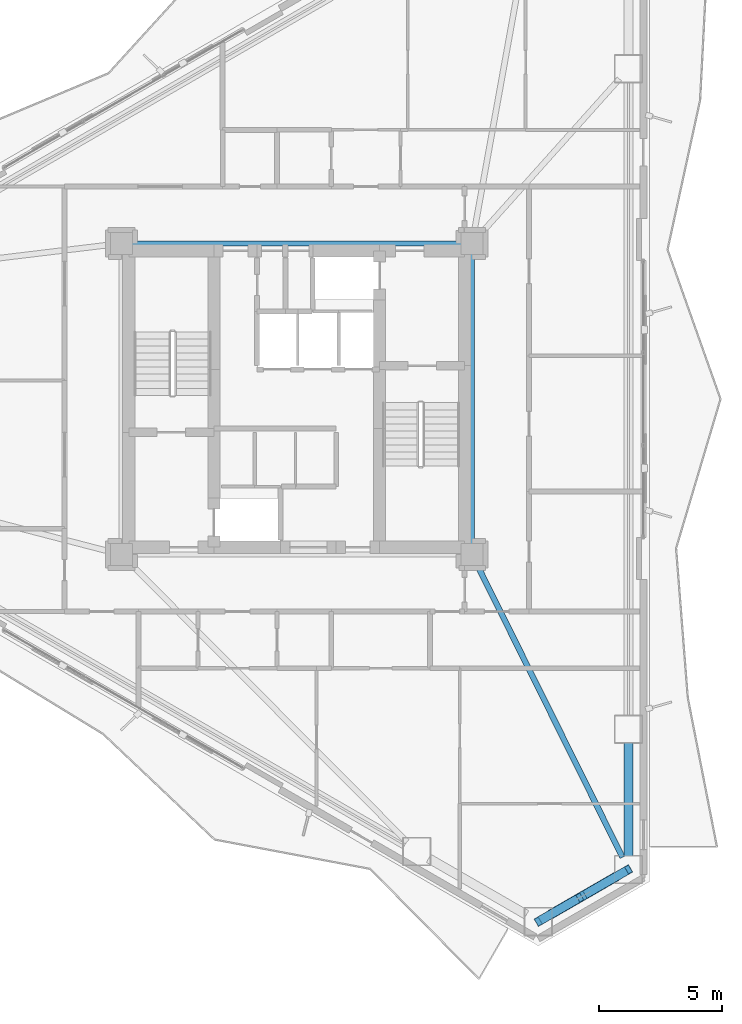
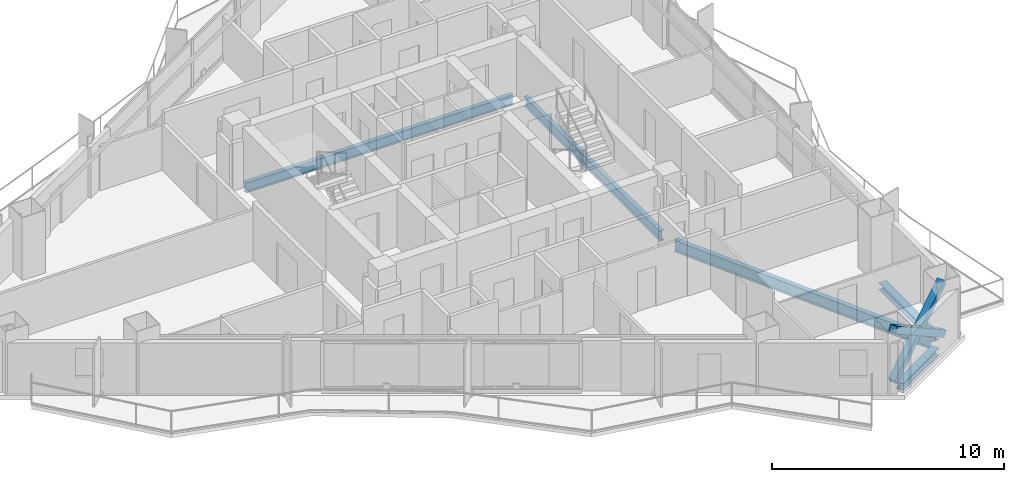
# One storey, part 7 of 22: 5 beams, 3 members.
"""IFC4 building model written with IfcOpenShell, lengths in metres."""

from ifc_helpers import new_model, si_unit, direction, frame, origin, origin_2d, place, context, subcontext, project, spatial, hollow_rectangle, i_section, extrude, material, material_profile, profile_set, type_object, element, save


model = new_model("IFC4")

# Units and contexts
model_context = context("Model", 3, precision=1e-05, world=origin(), true_north=direction((0.0, 1.0)))
body_context = subcontext(model_context, "Body", "Model", "MODEL_VIEW")
ifc_project = project(units=[si_unit("LENGTHUNIT", "METRE"), si_unit("AREAUNIT", "SQUARE_METRE"), si_unit("VOLUMEUNIT", "CUBIC_METRE"), si_unit("PLANEANGLEUNIT", "RADIAN"), si_unit("MASSUNIT", "GRAM", prefix="KILO")], contexts=[model_context])

# Site, building, storey
site_placement = place(None, origin())
site = spatial("IfcSite", under=ifc_project, at=site_placement, CompositionType="ELEMENT")
building_placement = place(site_placement, origin())
building = spatial("IfcBuilding", under=site, at=building_placement, Name="Mersakhor Tower and Convention Hall", CompositionType="ELEMENT")
storey_placement = place(building_placement, frame((0.0, 0.0, 83.39990234375)))
storey = spatial("IfcBuildingStorey", under=building, at=storey_placement, Name="L22", CompositionType="ELEMENT", Elevation=83.39990234375)

# Beams
ifc_material_1 = material(Name="Steel S355", Category="steel")
ifc_material_profile_1 = material_profile(ifc_material_1, i_section(OverallWidth=0.2099609375, OverallDepth=0.53662109375, WebThickness=0.0107421875, FlangeThickness=0.017333984375, at=origin_2d()), Name="UB 533x210x101")
ifc_profile_set_1 = profile_set([ifc_material_profile_1], Name="Steel S355")
beam_type_1 = type_object("IfcBeamType", Name="BM-FB-533", PredefinedType="BEAM", material=ifc_profile_set_1)
beam_1_placement = place(storey_placement, frame((22.330078125, 33.050048828125, -0.518310546875), z_axis=(1.0, 0.0, 0.0), x_axis=(0.0, 1.0, 0.0)))
element("IfcBeam", 1, at=beam_1_placement, inside=storey, type_object=beam_type_1, Name="L22 Core Ring Tie Beam CRB-2", PredefinedType="BEAM", context=body_context, shape_type="SweptSolid", body=[
    extrude(i_section(OverallWidth=0.2099609375, OverallDepth=0.53662109375, WebThickness=0.0107421875, FlangeThickness=0.017333984375, at=origin_2d()), origin(), (0.0, 0.0, 1.0), 13.33984375),
])
beam_2_placement = place(storey_placement, frame((36.10009765625, 32.6201171875, -0.518310546875), z_axis=(0.0, -1.0, 0.0), x_axis=(1.0, 0.0, 0.0)))
element("IfcBeam", 2, at=beam_2_placement, inside=storey, type_object=beam_type_1, Name="L22 Core Ring Tie Beam CRB-3", PredefinedType="BEAM", context=body_context, shape_type="SweptSolid", body=[
    extrude(i_section(OverallWidth=0.2099609375, OverallDepth=0.53662109375, WebThickness=0.0107421875, FlangeThickness=0.017333984375, at=origin_2d()), origin(), (0.0, 0.0, 1.0), 11.740234375),
])
ifc_material_2 = material(Name="Steel S355", Category="steel")
ifc_material_profile_2 = material_profile(ifc_material_2, i_section(OverallWidth=0.22900390625, OverallDepth=0.6123046875, WebThickness=0.011962890625, FlangeThickness=0.01953125, at=origin_2d()), Name="UB 610x229x125")
ifc_profile_set_2 = profile_set([ifc_material_profile_2], Name="Steel S355")
beam_type_2 = type_object("IfcBeamType", Name="BM-PR-610", PredefinedType="BEAM", material=ifc_profile_set_2)
beam_3_placement = place(storey_placement, frame((36.291259765625, 20.06494140625, -0.555908203125), z_axis=(0.444993792004, -0.895533653794, 0.0), x_axis=(0.895533653794, 0.444993792004, 0.0)))
element("IfcBeam", 3, at=beam_3_placement, inside=storey, type_object=beam_type_2, Name="L22 Primary Floor Girder FG-4", PredefinedType="BEAM", context=body_context, shape_type="SweptSolid", body=[
    extrude(i_section(OverallWidth=0.22900390625, OverallDepth=0.6123046875, WebThickness=0.011962890625, FlangeThickness=0.01953125, at=origin_2d()), origin(), (0.0, 0.0, 1.0), 13.250244140625),
])
ifc_material_3 = material(Name="Steel S355", Category="steel")
ifc_material_profile_3 = material_profile(ifc_material_3, i_section(OverallWidth=0.374755859375, OverallDepth=0.37451171875, WebThickness=0.0166015625, FlangeThickness=0.027099609375, at=origin_2d()), Name="UC 356x368x202")
ifc_profile_set_3 = profile_set([ifc_material_profile_3], Name="Steel S355")
beam_type_3 = type_object("IfcBeamType", Name="BM-SPD-UC356", PredefinedType="SPANDREL", material=ifc_profile_set_3)
beam_4_placement = place(storey_placement, frame((42.4345703125, 12.8232421875, -0.437255859375), z_axis=(0.0, -1.0, 0.0), x_axis=(1.0, 0.0, 0.0)))
element("IfcBeam", 4, at=beam_4_placement, inside=storey, type_object=beam_type_3, Name="L22 Perimeter Spandrel Beam SPB-07", PredefinedType="SPANDREL", context=body_context, shape_type="SweptSolid", body=[
    extrude(i_section(OverallWidth=0.374755859375, OverallDepth=0.37451171875, WebThickness=0.0166015625, FlangeThickness=0.027099609375, at=origin_2d()), origin(), (0.0, 0.0, 1.0), 4.566162109375),
])
beam_5_placement = place(storey_placement, frame((41.9541015625, 7.424560546875, -0.437255859375), z_axis=(-0.866052319632, -0.499953377486, 0.0), x_axis=(0.499953377486, -0.866052319632, 0.0)))
element("IfcBeam", 5, at=beam_5_placement, inside=storey, type_object=beam_type_3, Name="L22 Perimeter Spandrel Beam SPB-08", PredefinedType="SPANDREL", context=body_context, shape_type="SweptSolid", body=[
    extrude(i_section(OverallWidth=0.374755859375, OverallDepth=0.37451171875, WebThickness=0.0166015625, FlangeThickness=0.027099609375, at=origin_2d()), origin(), (0.0, 0.0, 1.0), 3.111572265625),
])

# Members
ifc_material_4 = material(Name="Steel S460", Category="steel")
ifc_material_profile_4 = material_profile(ifc_material_4, hollow_rectangle(XDim=0.35009765625, YDim=0.35009765625, WallThickness=0.02001953125, at=origin_2d()), Name="SHS 350x350x20")
ifc_profile_set_4 = profile_set([ifc_material_profile_4], Name="Steel S460")
member_type = type_object("IfcMemberType", Name="MB-BRC-SHS350", PredefinedType="BRACE", material=ifc_profile_set_4)
member_1_placement = place(storey_placement, frame((42.4345703125, 7.701904296875, 0.150146484375), z_axis=(-0.725633725484, -0.418933054415, 0.545848689986), x_axis=(0.49998946241, -0.866031487579, 0.0)))
element("IfcMember", 6, at=member_1_placement, inside=storey, type_object=member_type, Name="L22 Chamfer Braced Frame Diagonal CB-2A", PredefinedType="BRACE", context=body_context, shape_type="SweptSolid", body=[
    extrude(hollow_rectangle(XDim=0.35009765625, YDim=0.35009765625, WallThickness=0.02001953125, at=origin_2d()), origin(), (0.0, 0.0, 1.0), 5.0380859375),
])
member_2_placement = place(storey_placement, frame((38.77880859375, 5.59130859375, 0.150146484375), z_axis=(0.725635037856, 0.418918980369, 0.545857746783), x_axis=(-0.499976186015, 0.866039152359, 0.0)))
element("IfcMember", 7, at=member_2_placement, inside=storey, type_object=member_type, Name="L22 Chamfer Braced Frame Diagonal CB-2B Lower Half", PredefinedType="BRACE", context=body_context, shape_type="SweptSolid", body=[
    extrude(hollow_rectangle(XDim=0.35009765625, YDim=0.35009765625, WallThickness=0.02001953125, at=origin_2d()), origin(), (0.0, 0.0, 1.0), 2.319580078125),
])
member_3_placement = place(storey_placement, frame((40.751220703125, 6.730224609375, 1.6337890625), z_axis=(0.725643177862, 0.418862922102, 0.545889943955), x_axis=(-0.499921796684, 0.866070549782, 0.0)))
element("IfcMember", 8, at=member_3_placement, inside=storey, type_object=member_type, Name="L22 Chamfer Braced Frame Diagonal CB-2B Upper Half", PredefinedType="BRACE", context=body_context, shape_type="SweptSolid", body=[
    extrude(hollow_rectangle(XDim=0.35009765625, YDim=0.35009765625, WallThickness=0.02001953125, at=origin_2d()), origin(), (0.0, 0.0, 1.0), 2.31982421875),
])

save(model, "model.ifc")
